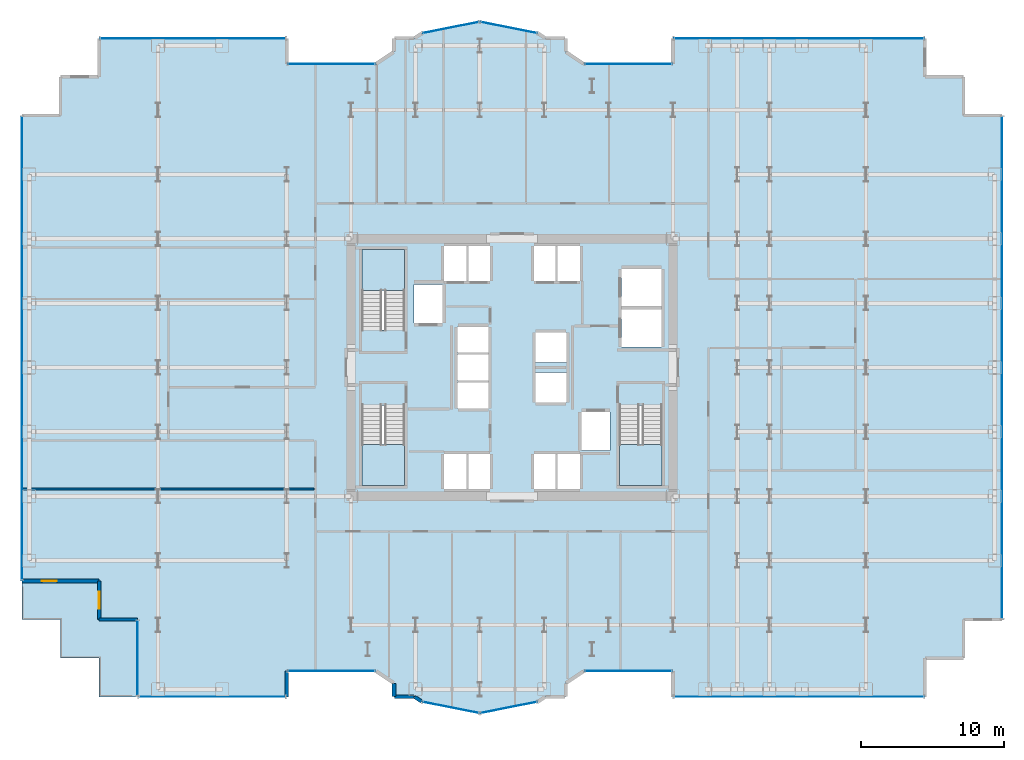
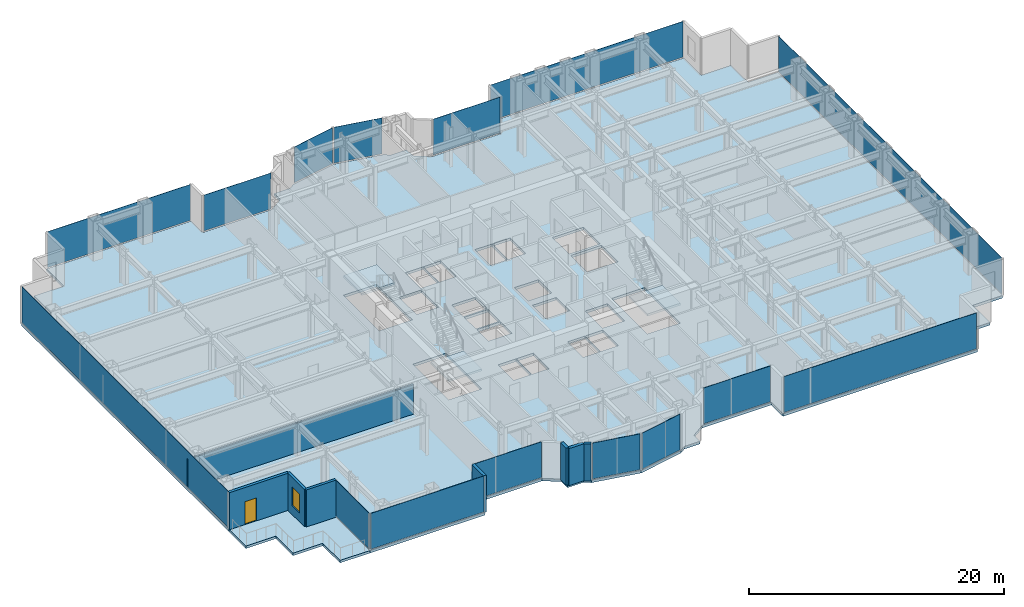
# One storey, part 19 of 27: 15 plates, 8 walls, 5 slabs, 1 door, 1 window, 2 openings, 18 elements without a shape of their own.
"""IFC4 building model written with IfcOpenShell, lengths in metres."""

from ifc_helpers import new_model, si_unit, direction, frame, frame_2d, origin, origin_2d, place, context, subcontext, project, spatial, polyline, rectangle, outline, extrude, source, transform, mapped, material, layer, layer_set, type_object, element, fill, aggregate, save


model = new_model("IFC4")

# Units and contexts
model_context = context("Model", 3, precision=1e-05, world=origin(), true_north=direction((0.0, 1.0)))
body_context = subcontext(model_context, "Body", "Model", "MODEL_VIEW")
ifc_project = project(units=[si_unit("LENGTHUNIT", "METRE"), si_unit("AREAUNIT", "SQUARE_METRE"), si_unit("VOLUMEUNIT", "CUBIC_METRE"), si_unit("PLANEANGLEUNIT", "RADIAN"), si_unit("MASSUNIT", "GRAM", prefix="KILO")], contexts=[model_context])

# Site, building, storey
site_placement = place(None, origin())
site = spatial("IfcSite", under=ifc_project, at=site_placement, CompositionType="ELEMENT")
building_placement = place(site_placement, origin())
building = spatial("IfcBuilding", under=site, at=building_placement, Name="Nefas-Gora Pilgrimage Tower", CompositionType="ELEMENT")
storey_placement = place(building_placement, frame((0.0, 0.0, 48.199951171875)))
storey = spatial("IfcBuildingStorey", under=building, at=storey_placement, Name="L10", CompositionType="ELEMENT", Elevation=48.199951171875)

# Slabs
ifc_material_1 = material(Name="Concrete C40/50", Category="concrete")
ifc_layer_1 = layer(ifc_material_1, 0.239990234375)
ifc_layer_set_1 = layer_set([ifc_layer_1], Name="Concrete C40/50")
slab_type_1 = type_object("IfcSlabType", Name="SLB-TER-SP-SW", PredefinedType="FLOOR", material=ifc_layer_set_1)
slab_1_placement = place(storey_placement, frame((0.0, 0.0, -0.239990234375)))
element("IfcSlab", 1, at=slab_1_placement, inside=storey, type_object=slab_type_1, Name="L10 Outdoor Sky Terrace Slab TER-SP-SW", PredefinedType="FLOOR", context=body_context, shape_type="SweptSolid", body=[
    extrude(outline(polyline([(-26.169921875, -23.02001953125), (-26.169921875, -17.6201171875), (-28.8701171875, -17.6201171875), (-28.8701171875, -14.919921875), (-34.27001953125, -14.919921875), (-34.27001953125, -17.6201171875), (-31.570068359375, -17.6201171875), (-31.570068359375, -20.320068359375), (-28.8701171875, -20.320068359375), (-28.8701171875, -23.02001953125), (-26.169921875, -23.02001953125)])), origin(), (0.0, 0.0, 1.0), 0.239990234375),
])
ifc_layer_2 = layer(ifc_material_1, 0.25)
ifc_layer_set_2 = layer_set([ifc_layer_2], Name="Concrete C40/50")
slab_type_2 = type_object("IfcSlabType", Name="SLB-TWR-250", PredefinedType="FLOOR", material=ifc_layer_set_2)
slab_2_placement = place(storey_placement, frame((0.0, 0.0, -0.25)))
element("IfcSlab", 2, at=slab_2_placement, inside=storey, type_object=slab_type_2, Name="L10 Structural Floor Slab", PredefinedType="FLOOR", context=body_context, shape_type="SweptSolid", body=[
    extrude(outline(polyline([(5.01806640625, -21.219970703125), (11.25, -21.219970703125), (11.25, -23.02001953125), (28.8701171875, -23.02001953125), (28.8701171875, -20.320068359375), (31.570068359375, -20.320068359375), (31.570068359375, -17.6201171875), (34.27001953125, -17.6201171875), (34.27001953125, 17.6201171875), (31.570068359375, 17.6201171875), (31.570068359375, 20.320068359375), (28.8701171875, 20.320068359375), (28.8701171875, 23.02001953125), (11.25, 23.02001953125), (11.25, 21.219970703125), (5.01806640625, 21.219970703125), (3.75, 22.0673828125), (3.75, 23.02001953125), (2.32421875, 23.02001953125), (1.807373046875, 23.365234375), (-2.25, 24.17236328125), (-6.307373046875, 23.365234375), (-6.82421875, 23.02001953125), (-8.25, 23.02001953125), (-8.25, 22.0673828125), (-9.51806640625, 21.219970703125), (-15.75, 21.219970703125), (-15.75, 23.02001953125), (-28.8701171875, 23.02001953125), (-28.8701171875, 20.320068359375), (-31.570068359375, 20.320068359375), (-31.570068359375, 17.6201171875), (-34.27001953125, 17.6201171875), (-34.27001953125, -14.919921875), (-28.8701171875, -14.919921875), (-28.8701171875, -17.6201171875), (-26.169921875, -17.6201171875), (-26.169921875, -23.02001953125), (-15.75, -23.02001953125), (-15.75, -21.219970703125), (-9.51806640625, -21.219970703125), (-8.25, -22.0673828125), (-8.25, -23.02001953125), (-6.82421875, -23.02001953125), (-6.307373046875, -23.365234375), (-2.25, -24.17236328125), (1.807373046875, -23.365234375), (2.32421875, -23.02001953125), (3.75, -23.02001953125), (3.75, -22.0673828125), (5.01806640625, -21.219970703125)]), holes=[polyline([(-10.5, 2.639892578125), (-10.5, 8.25), (-7.5, 8.25), (-7.5, 2.639892578125), (-10.5, 2.639892578125)]), polyline([(10.5, -2.639892578125), (10.5, -8.25), (7.5, -8.25), (7.5, -2.639892578125), (10.5, -2.639892578125)]), polyline([(-7.5, -2.639892578125), (-7.5, -8.25), (-10.5, -8.25), (-10.5, -2.639892578125), (-7.5, -2.639892578125)]), polyline([(-6.85009765625, 5.800048828125), (-4.85009765625, 5.800048828125), (-4.85009765625, 3.10009765625), (-6.85009765625, 3.10009765625), (-6.85009765625, 5.800048828125)]), polyline([(4.85009765625, -3.10009765625), (6.85009765625, -3.10009765625), (6.85009765625, -5.800048828125), (4.85009765625, -5.800048828125), (4.85009765625, -3.10009765625)]), polyline([(7.64990234375, 4.050048828125), (10.449951171875, 4.050048828125), (10.449951171875, 1.449951171875), (7.64990234375, 1.449951171875), (7.64990234375, 4.050048828125)]), polyline([(7.64990234375, 6.89990234375), (10.449951171875, 6.89990234375), (10.449951171875, 4.300048828125), (7.64990234375, 4.300048828125), (7.64990234375, 6.89990234375)]), polyline([(-4.75, 8.5), (-3.14990234375, 8.5), (-3.14990234375, 6.050048828125), (-4.75, 6.050048828125), (-4.75, 8.5)]), polyline([(-3.10009765625, 8.5), (-1.550048828125, 8.5), (-1.550048828125, 6.050048828125), (-3.10009765625, 6.050048828125), (-3.10009765625, 8.5)]), polyline([(1.550048828125, 8.5), (3.10009765625, 8.5), (3.10009765625, 6.050048828125), (1.550048828125, 6.050048828125), (1.550048828125, 8.5)]), polyline([(3.14990234375, 8.5), (4.75, 8.5), (4.75, 6.050048828125), (3.14990234375, 6.050048828125), (3.14990234375, 8.5)]), polyline([(-4.75, -6.050048828125), (-3.14990234375, -6.050048828125), (-3.14990234375, -8.5), (-4.75, -8.5), (-4.75, -6.050048828125)]), polyline([(-3.10009765625, -6.050048828125), (-1.550048828125, -6.050048828125), (-1.550048828125, -8.5), (-3.10009765625, -8.5), (-3.10009765625, -6.050048828125)]), polyline([(1.550048828125, -6.050048828125), (3.10009765625, -6.050048828125), (3.10009765625, -8.5), (1.550048828125, -8.5), (1.550048828125, -6.050048828125)]), polyline([(3.14990234375, -6.050048828125), (4.75, -6.050048828125), (4.75, -8.5), (3.14990234375, -8.5), (3.14990234375, -6.050048828125)]), polyline([(-3.800048828125, -1.050048828125), (-1.64990234375, -1.050048828125), (-1.64990234375, -2.85009765625), (-3.800048828125, -2.85009765625), (-3.800048828125, -1.050048828125)]), polyline([(-3.800048828125, 0.89990234375), (-1.64990234375, 0.89990234375), (-1.64990234375, -0.89990234375), (-3.800048828125, -0.89990234375), (-3.800048828125, 0.89990234375)]), polyline([(-3.800048828125, 2.85009765625), (-1.64990234375, 2.85009765625), (-1.64990234375, 1.050048828125), (-3.800048828125, 1.050048828125), (-3.800048828125, 2.85009765625)]), polyline([(1.64990234375, -0.35009765625), (3.800048828125, -0.35009765625), (3.800048828125, -2.449951171875), (1.64990234375, -2.449951171875), (1.64990234375, -0.35009765625)]), polyline([(1.64990234375, 2.449951171875), (3.800048828125, 2.449951171875), (3.800048828125, 0.35009765625), (1.64990234375, 0.35009765625), (1.64990234375, 2.449951171875)])]), origin(), (0.0, 0.0, 1.0), 0.25),
])

# Stair, slab
ifc_material_2 = material(Name="Concrete C45/55", Category="concrete")
stair_type = type_object("IfcStairType", Name="STR-1400-R1727", PredefinedType="HALF_TURN_STAIR", material=ifc_material_2)
stair_1_placement = place(storey_placement, origin())
stair_1 = element("IfcStair", 3, at=stair_1_placement, inside=storey, type_object=stair_type, Name="L10 Pressurised Tower Exit Stair ST-01", PredefinedType="HALF_TURN_STAIR")
ifc_layer_3 = layer(ifc_material_1, 0.199951171875)
ifc_layer_set_3 = layer_set([ifc_layer_3], Name="Concrete C40/50")
slab_type_3 = type_object("IfcSlabType", Name="STR-LAND-200", PredefinedType="LANDING", material=ifc_layer_set_3)
slab_3_placement = place(storey_placement, frame((0.0, 0.0, 1.699951171875)))
slab_3 = element("IfcSlab", 4, at=slab_3_placement, type_object=slab_type_3, Name="ST-01 landing 1", PredefinedType="LANDING", context=body_context, shape_type="SweptSolid", body=[
    extrude(outline(polyline([(-7.5, 5.39990234375), (-7.5, 8.25), (-10.5, 8.25), (-10.5, 5.39990234375), (-7.5, 5.39990234375)])), origin(), (0.0, 0.0, 1.0), 0.2001953125),
])
aggregate(stair_1, [slab_3])

stair_2_placement = place(storey_placement, origin())
stair_2 = element("IfcStair", 5, at=stair_2_placement, inside=storey, type_object=stair_type, Name="L10 Pressurised Tower Exit Stair ST-02", PredefinedType="HALF_TURN_STAIR")
slab_4_placement = place(storey_placement, frame((0.0, 0.0, 1.699951171875)))
slab_4 = element("IfcSlab", 6, at=slab_4_placement, type_object=slab_type_3, Name="ST-02 landing 1", PredefinedType="LANDING", context=body_context, shape_type="SweptSolid", body=[
    extrude(outline(polyline([(7.5, -5.39990234375), (7.5, -8.25), (10.5, -8.25), (10.5, -5.39990234375), (7.5, -5.39990234375)])), origin(), (0.0, 0.0, 1.0), 0.2001953125),
])
aggregate(stair_2, [slab_4])

stair_3_placement = place(storey_placement, origin())
stair_3 = element("IfcStair", 7, at=stair_3_placement, inside=storey, type_object=stair_type, Name="L10 Pressurised Tower Exit Stair ST-03", PredefinedType="HALF_TURN_STAIR")
slab_5_placement = place(storey_placement, frame((0.0, 0.0, 1.699951171875)))
slab_5 = element("IfcSlab", 8, at=slab_5_placement, type_object=slab_type_3, Name="ST-03 landing 1", PredefinedType="LANDING", context=body_context, shape_type="SweptSolid", body=[
    extrude(outline(polyline([(-10.5, -5.39990234375), (-10.5, -8.25), (-7.5, -8.25), (-7.5, -5.39990234375), (-10.5, -5.39990234375)])), origin(), (0.0, 0.0, 1.0), 0.2001953125),
])
aggregate(stair_3, [slab_5])

# Curtain wall, plate
ifc_material_3 = material(Name="Dark ceramic-fritted solar-control aluminium-glass curtain wall", Category="aluminium")
ifc_layer_4 = layer(ifc_material_3, 0.219970703125)
ifc_layer_set_4 = layer_set([ifc_layer_4], Name="Dark ceramic-fritted solar-control aluminium-glass curtain wall")
curtain_wall_type_1 = type_object("IfcCurtainWallType", Name="CW-SYS-5", PredefinedType="NOTDEFINED", material=ifc_layer_set_4)
curtain_wall_1_placement = place(storey_placement, origin())
curtain_wall_1 = element("IfcCurtainWall", 9, at=curtain_wall_1_placement, inside=storey, type_object=curtain_wall_type_1, Name="L10 Unitised Curtain Wall CW5", PredefinedType="NOTDEFINED")
ifc_material_4 = material(Name="Dark ceramic-printed low-e insulated glass", Category="glass")
ifc_layer_5 = layer(ifc_material_4, 0.028076171875)
ifc_layer_set_5 = layer_set([ifc_layer_5], Name="Dark ceramic-printed low-e insulated glass")
plate_type_1 = type_object("IfcPlateType", Name="CWP-PNL-5", PredefinedType="CURTAIN_PANEL", material=ifc_layer_set_5)
shared_shape_1 = source(origin(), body_context, "Body", "SweptSolid", [
    extrude(rectangle(XDim=6.052001953125, YDim=0.028076171875, at=origin_2d()), origin(), (0.0, 0.0, 1.0), 3.43994140625),
])
plate_1_placement = place(storey_placement, frame((8.134033203125, -21.219970703125, 0.10009765625), z_axis=(0.0, 0.0, 1.0), x_axis=(1.0, 0.0, 0.0)))
plate_1 = element("IfcPlate", 10, at=plate_1_placement, type_object=plate_type_1, Name="CW5 Ceramic-Fritted Glazing Panel 1", PredefinedType="CURTAIN_PANEL", context=body_context, shape_type="MappedRepresentation", body=[
    mapped(shared_shape_1, transform((0.0, 0.0, 0.0), x_axis=(1.0, 0.0, 0.0), y_axis=(0.0, 1.0, 0.0), z_axis=(0.0, 0.0, 1.0), scale=1.0)),
])
aggregate(curtain_wall_1, [plate_1])

curtain_wall_2_placement = place(storey_placement, origin())
curtain_wall_2 = element("IfcCurtainWall", 11, at=curtain_wall_2_placement, inside=storey, type_object=curtain_wall_type_1, Name="L10 Unitised Curtain Wall CW5", PredefinedType="NOTDEFINED")
plate_2_placement = place(storey_placement, frame((8.134033203125, 21.219970703125, 0.10009765625), z_axis=(0.0, 0.0, 1.0), x_axis=(-1.0, 0.0, 0.0)))
plate_2 = element("IfcPlate", 12, at=plate_2_placement, type_object=plate_type_1, Name="CW5 Ceramic-Fritted Glazing Panel 1", PredefinedType="CURTAIN_PANEL", context=body_context, shape_type="MappedRepresentation", body=[
    mapped(shared_shape_1, transform((0.0, 0.0, 0.0), x_axis=(1.0, 0.0, 0.0), y_axis=(0.0, 1.0, 0.0), z_axis=(0.0, 0.0, 1.0), scale=1.0)),
])
aggregate(curtain_wall_2, [plate_2])

curtain_wall_3_placement = place(storey_placement, origin())
curtain_wall_3 = element("IfcCurtainWall", 13, at=curtain_wall_3_placement, inside=storey, type_object=curtain_wall_type_1, Name="L10 Unitised Curtain Wall CW5", PredefinedType="NOTDEFINED")
plate_3_placement = place(storey_placement, frame((-12.634033203125, 21.219970703125, 0.10009765625), z_axis=(0.0, 0.0, 1.0), x_axis=(-1.0, 0.0, 0.0)))
plate_3 = element("IfcPlate", 14, at=plate_3_placement, type_object=plate_type_1, Name="CW5 Ceramic-Fritted Glazing Panel 1", PredefinedType="CURTAIN_PANEL", context=body_context, shape_type="MappedRepresentation", body=[
    mapped(shared_shape_1, transform((0.0, 0.0, 0.0), x_axis=(1.0, 0.0, 0.0), y_axis=(0.0, 1.0, 0.0), z_axis=(0.0, 0.0, 1.0), scale=1.0)),
])
aggregate(curtain_wall_3, [plate_3])

curtain_wall_4_placement = place(storey_placement, origin())
curtain_wall_4 = element("IfcCurtainWall", 15, at=curtain_wall_4_placement, inside=storey, type_object=curtain_wall_type_1, Name="L10 Unitised Curtain Wall CW5", PredefinedType="NOTDEFINED")
plate_4_placement = place(storey_placement, frame((-12.634033203125, -21.219970703125, 0.10009765625), z_axis=(0.0, 0.0, 1.0), x_axis=(1.0, 0.0, 0.0)))
plate_4 = element("IfcPlate", 16, at=plate_4_placement, type_object=plate_type_1, Name="CW5 Ceramic-Fritted Glazing Panel 1", PredefinedType="CURTAIN_PANEL", context=body_context, shape_type="MappedRepresentation", body=[
    mapped(shared_shape_1, transform((0.0, 0.0, 0.0), x_axis=(1.0, 0.0, 0.0), y_axis=(0.0, 1.0, 0.0), z_axis=(0.0, 0.0, 1.0), scale=1.0)),
])
aggregate(curtain_wall_4, [plate_4])

ifc_layer_6 = layer(ifc_material_3, 0.219970703125)
ifc_layer_set_6 = layer_set([ifc_layer_6], Name="Dark ceramic-fritted solar-control aluminium-glass curtain wall")
curtain_wall_type_2 = type_object("IfcCurtainWallType", Name="CW-SYS-2", PredefinedType="NOTDEFINED", material=ifc_layer_set_6)
curtain_wall_5_placement = place(storey_placement, origin())
curtain_wall_5 = element("IfcCurtainWall", 17, at=curtain_wall_5_placement, inside=storey, type_object=curtain_wall_type_2, Name="L10 Unitised Curtain Wall CW2", PredefinedType="NOTDEFINED")
ifc_layer_7 = layer(ifc_material_4, 0.031982421875)
ifc_layer_set_7 = layer_set([ifc_layer_7], Name="Dark ceramic-printed low-e insulated glass")
plate_type_2 = type_object("IfcPlateType", Name="CWP-PNL-2", PredefinedType="CURTAIN_PANEL", material=ifc_layer_set_7)
shared_shape_2 = source(origin(), body_context, "Body", "SweptSolid", [
    extrude(rectangle(XDim=17.43994140625, YDim=0.031982421875, at=origin_2d()), origin(), (0.0, 0.0, 1.0), 3.43994140625),
])
plate_5_placement = place(storey_placement, frame((20.06005859375, -23.02001953125, 0.10009765625), z_axis=(0.0, 0.0, 1.0), x_axis=(1.0, 0.0, 0.0)))
plate_5 = element("IfcPlate", 18, at=plate_5_placement, type_object=plate_type_2, Name="CW2 Ceramic-Fritted Glazing Panel 1", PredefinedType="CURTAIN_PANEL", context=body_context, shape_type="MappedRepresentation", body=[
    mapped(shared_shape_2, transform((0.0, 0.0, 0.0), x_axis=(1.0, 0.0, 0.0), y_axis=(0.0, 1.0, 0.0), z_axis=(0.0, 0.0, 1.0), scale=1.0)),
])
aggregate(curtain_wall_5, [plate_5])

curtain_wall_6_placement = place(storey_placement, origin())
curtain_wall_6 = element("IfcCurtainWall", 19, at=curtain_wall_6_placement, inside=storey, type_object=curtain_wall_type_2, Name="L10 Unitised Curtain Wall CW2", PredefinedType="NOTDEFINED")
plate_6_placement = place(storey_placement, frame((20.06005859375, 23.02001953125, 0.10009765625), z_axis=(0.0, 0.0, 1.0), x_axis=(-1.0, 0.0, 0.0)))
plate_6 = element("IfcPlate", 20, at=plate_6_placement, type_object=plate_type_2, Name="CW2 Ceramic-Fritted Glazing Panel 1", PredefinedType="CURTAIN_PANEL", context=body_context, shape_type="MappedRepresentation", body=[
    mapped(shared_shape_2, transform((0.0, 0.0, 0.0), x_axis=(1.0, 0.0, 0.0), y_axis=(0.0, 1.0, 0.0), z_axis=(0.0, 0.0, 1.0), scale=1.0)),
])
aggregate(curtain_wall_6, [plate_6])

curtain_wall_7_placement = place(storey_placement, origin())
curtain_wall_7 = element("IfcCurtainWall", 21, at=curtain_wall_7_placement, inside=storey, type_object=curtain_wall_type_1, Name="L10 Unitised Curtain Wall CW5", PredefinedType="NOTDEFINED")
shared_shape_3 = source(origin(), body_context, "Body", "SweptSolid", [
    extrude(rectangle(XDim=3.956787109375, YDim=0.028076171875, at=origin_2d()), origin(), (0.0, 0.0, 1.0), 3.43994140625),
])
plate_7_placement = place(storey_placement, frame((-0.22119140625, 23.768798828125, 0.10009765625), z_axis=(0.0, 0.0, 1.0), x_axis=(-0.980782896852, 0.195102304554, 0.0)))
plate_7 = element("IfcPlate", 22, at=plate_7_placement, type_object=plate_type_1, Name="CW5 Ceramic-Fritted Glazing Panel 1", PredefinedType="CURTAIN_PANEL", context=body_context, shape_type="MappedRepresentation", body=[
    mapped(shared_shape_3, transform((0.0, 0.0, 0.0), x_axis=(1.0, 0.0, 0.0), y_axis=(0.0, 1.0, 0.0), z_axis=(0.0, 0.0, 1.0), scale=1.0)),
])
aggregate(curtain_wall_7, [plate_7])

curtain_wall_8_placement = place(storey_placement, origin())
curtain_wall_8 = element("IfcCurtainWall", 23, at=curtain_wall_8_placement, inside=storey, type_object=curtain_wall_type_1, Name="L10 Unitised Curtain Wall CW5", PredefinedType="NOTDEFINED")
plate_8_placement = place(storey_placement, frame((-4.278564453125, 23.768798828125, 0.10009765625), z_axis=(0.0, 0.0, 1.0), x_axis=(-0.980782896852, -0.195102304554, 0.0)))
plate_8 = element("IfcPlate", 24, at=plate_8_placement, type_object=plate_type_1, Name="CW5 Ceramic-Fritted Glazing Panel 1", PredefinedType="CURTAIN_PANEL", context=body_context, shape_type="MappedRepresentation", body=[
    mapped(shared_shape_3, transform((0.0, 0.0, 0.0), x_axis=(1.0, 0.0, 0.0), y_axis=(0.0, 1.0, 0.0), z_axis=(0.0, 0.0, 1.0), scale=1.0)),
])
aggregate(curtain_wall_8, [plate_8])

curtain_wall_9_placement = place(storey_placement, origin())
curtain_wall_9 = element("IfcCurtainWall", 25, at=curtain_wall_9_placement, inside=storey, type_object=curtain_wall_type_1, Name="L10 Unitised Curtain Wall CW5", PredefinedType="NOTDEFINED")
plate_9_placement = place(storey_placement, frame((-4.278564453125, -23.768798828125, 0.10009765625), z_axis=(0.0, 0.0, 1.0), x_axis=(0.980782896852, -0.195102304554, 0.0)))
plate_9 = element("IfcPlate", 26, at=plate_9_placement, type_object=plate_type_1, Name="CW5 Ceramic-Fritted Glazing Panel 1", PredefinedType="CURTAIN_PANEL", context=body_context, shape_type="MappedRepresentation", body=[
    mapped(shared_shape_3, transform((0.0, 0.0, 0.0), x_axis=(1.0, 0.0, 0.0), y_axis=(0.0, 1.0, 0.0), z_axis=(0.0, 0.0, 1.0), scale=1.0)),
])
aggregate(curtain_wall_9, [plate_9])

curtain_wall_10_placement = place(storey_placement, origin())
curtain_wall_10 = element("IfcCurtainWall", 27, at=curtain_wall_10_placement, inside=storey, type_object=curtain_wall_type_1, Name="L10 Unitised Curtain Wall CW5", PredefinedType="NOTDEFINED")
plate_10_placement = place(storey_placement, frame((-0.221435546875, -23.768798828125, 0.10009765625), z_axis=(0.0, 0.0, 1.0), x_axis=(0.980782896852, 0.195102304554, 0.0)))
plate_10 = element("IfcPlate", 28, at=plate_10_placement, type_object=plate_type_1, Name="CW5 Ceramic-Fritted Glazing Panel 1", PredefinedType="CURTAIN_PANEL", context=body_context, shape_type="MappedRepresentation", body=[
    mapped(shared_shape_3, transform((0.0, 0.0, 0.0), x_axis=(1.0, 0.0, 0.0), y_axis=(0.0, 1.0, 0.0), z_axis=(0.0, 0.0, 1.0), scale=1.0)),
])
aggregate(curtain_wall_10, [plate_10])

curtain_wall_11_placement = place(storey_placement, origin())
curtain_wall_11 = element("IfcCurtainWall", 29, at=curtain_wall_11_placement, inside=storey, type_object=curtain_wall_type_2, Name="L10 Unitised Curtain Wall CW2", PredefinedType="NOTDEFINED")
shared_shape_4 = source(origin(), body_context, "Body", "SweptSolid", [
    extrude(rectangle(XDim=12.93994140625, YDim=0.031982421875, at=origin_2d()), origin(), (0.0, 0.0, 1.0), 3.43994140625),
])
plate_11_placement = place(storey_placement, frame((-22.31005859375, 23.02001953125, 0.10009765625), z_axis=(0.0, 0.0, 1.0), x_axis=(-1.0, 0.0, 0.0)))
plate_11 = element("IfcPlate", 30, at=plate_11_placement, type_object=plate_type_2, Name="CW2 Ceramic-Fritted Glazing Panel 1", PredefinedType="CURTAIN_PANEL", context=body_context, shape_type="MappedRepresentation", body=[
    mapped(shared_shape_4, transform((0.0, 0.0, 0.0), x_axis=(1.0, 0.0, 0.0), y_axis=(0.0, 1.0, 0.0), z_axis=(0.0, 0.0, 1.0), scale=1.0)),
])
aggregate(curtain_wall_11, [plate_11])

curtain_wall_12_placement = place(storey_placement, origin())
curtain_wall_12 = element("IfcCurtainWall", 31, at=curtain_wall_12_placement, inside=storey, type_object=curtain_wall_type_2, Name="L10 Unitised Curtain Wall CW2", PredefinedType="NOTDEFINED")
shared_shape_5 = source(origin(), body_context, "Body", "SweptSolid", [
    extrude(rectangle(XDim=35.06005859375, YDim=0.031982421875, at=origin_2d()), origin(), (0.0, 0.0, 1.0), 3.43994140625),
])
plate_12_placement = place(storey_placement, frame((34.27001953125, 0.0, 0.10009765625), z_axis=(0.0, 0.0, 1.0), x_axis=(0.0, 1.0, 0.0)))
plate_12 = element("IfcPlate", 32, at=plate_12_placement, type_object=plate_type_2, Name="CW2 Ceramic-Fritted Glazing Panel 1", PredefinedType="CURTAIN_PANEL", context=body_context, shape_type="MappedRepresentation", body=[
    mapped(shared_shape_5, transform((0.0, 0.0, 0.0), x_axis=(1.0, 0.0, 0.0), y_axis=(0.0, 1.0, 0.0), z_axis=(0.0, 0.0, 1.0), scale=1.0)),
])
aggregate(curtain_wall_12, [plate_12])

curtain_wall_13_placement = place(storey_placement, origin())
curtain_wall_13 = element("IfcCurtainWall", 33, at=curtain_wall_13_placement, inside=storey, type_object=curtain_wall_type_2, Name="L10 Unitised Curtain Wall CW2", PredefinedType="NOTDEFINED")
shared_shape_6 = source(origin(), body_context, "Body", "SweptSolid", [
    extrude(rectangle(XDim=32.360107421875, YDim=0.031982421875, at=origin_2d()), origin(), (0.0, 0.0, 1.0), 3.43994140625),
])
plate_13_placement = place(storey_placement, frame((-34.27001953125, 1.35009765625, 0.10009765625), z_axis=(0.0, 0.0, 1.0), x_axis=(0.0, -1.0, 0.0)))
plate_13 = element("IfcPlate", 34, at=plate_13_placement, type_object=plate_type_2, Name="CW2 Ceramic-Fritted Glazing Panel 1", PredefinedType="CURTAIN_PANEL", context=body_context, shape_type="MappedRepresentation", body=[
    mapped(shared_shape_6, transform((0.0, 0.0, 0.0), x_axis=(1.0, 0.0, 0.0), y_axis=(0.0, 1.0, 0.0), z_axis=(0.0, 0.0, 1.0), scale=1.0)),
])
aggregate(curtain_wall_13, [plate_13])

curtain_wall_14_placement = place(storey_placement, origin())
curtain_wall_14 = element("IfcCurtainWall", 35, at=curtain_wall_14_placement, inside=storey, type_object=curtain_wall_type_2, Name="L10 Unitised Curtain Wall CW2", PredefinedType="NOTDEFINED")
shared_shape_7 = source(origin(), body_context, "Body", "SweptSolid", [
    extrude(rectangle(XDim=5.219970703125, YDim=0.031982421875, at=origin_2d()), origin(), (0.0, 0.0, 1.0), 3.43994140625),
])
plate_14_placement = place(storey_placement, frame((-26.169921875, -20.320068359375, 0.10009765625), z_axis=(0.0, 0.0, 1.0), x_axis=(0.0, -1.0, 0.0)))
plate_14 = element("IfcPlate", 36, at=plate_14_placement, type_object=plate_type_2, Name="CW2 Ceramic-Fritted Glazing Panel 1", PredefinedType="CURTAIN_PANEL", context=body_context, shape_type="MappedRepresentation", body=[
    mapped(shared_shape_7, transform((0.0, 0.0, 0.0), x_axis=(1.0, 0.0, 0.0), y_axis=(0.0, 1.0, 0.0), z_axis=(0.0, 0.0, 1.0), scale=1.0)),
])
aggregate(curtain_wall_14, [plate_14])

curtain_wall_15_placement = place(storey_placement, origin())
curtain_wall_15 = element("IfcCurtainWall", 37, at=curtain_wall_15_placement, inside=storey, type_object=curtain_wall_type_2, Name="L10 Unitised Curtain Wall CW2", PredefinedType="NOTDEFINED")
shared_shape_8 = source(origin(), body_context, "Body", "SweptSolid", [
    extrude(rectangle(XDim=10.239990234375, YDim=0.031982421875, at=origin_2d()), origin(), (0.0, 0.0, 1.0), 3.43994140625),
])
plate_15_placement = place(storey_placement, frame((-20.9599609375, -23.02001953125, 0.10009765625), z_axis=(0.0, 0.0, 1.0), x_axis=(1.0, 0.0, 0.0)))
plate_15 = element("IfcPlate", 38, at=plate_15_placement, type_object=plate_type_2, Name="CW2 Ceramic-Fritted Glazing Panel 1", PredefinedType="CURTAIN_PANEL", context=body_context, shape_type="MappedRepresentation", body=[
    mapped(shared_shape_8, transform((0.0, 0.0, 0.0), x_axis=(1.0, 0.0, 0.0), y_axis=(0.0, 1.0, 0.0), z_axis=(0.0, 0.0, 1.0), scale=1.0)),
])
aggregate(curtain_wall_15, [plate_15])

# Walls
ifc_material_5 = material(Name="Precast concrete C40/50", Category="concrete")
ifc_layer_8 = layer(ifc_material_5, 0.260009765625)
ifc_layer_set_8 = layer_set([ifc_layer_8], Name="Precast concrete C40/50")
wall_type_1 = type_object("IfcWallType", Name="EW-PORTAL-260", PredefinedType="SOLIDWALL", material=ifc_layer_set_8)
shared_shape_9 = source(origin(), body_context, "Body", "SweptSolid", [
    extrude(rectangle(XDim=1.800048828125, YDim=0.260009765625, at=frame_2d((0.89990234375, 0.0))), origin(), (0.0, 0.0, 1.0), 3.550048828125),
])
wall_1_placement = place(storey_placement, frame((-15.75, -23.02001953125, 0.0), z_axis=(0.0, 0.0, 1.0), x_axis=(0.0, 1.0, 0.0)))
element("IfcWall", 39, at=wall_1_placement, inside=storey, type_object=wall_type_1, Name="L10 Lobe Shoulder Precast Spandrel Pier 27", PredefinedType="SOLIDWALL", context=body_context, shape_type="MappedRepresentation", body=[
    mapped(shared_shape_9, transform((0.0, 0.0, 0.0), x_axis=(1.0, 0.0, 0.0), y_axis=(0.0, 1.0, 0.0), z_axis=(0.0, 0.0, 1.0), scale=1.0)),
])
shared_shape_10 = source(origin(), body_context, "Body", "SweptSolid", [
    extrude(rectangle(XDim=0.896728515625, YDim=0.260009765625, at=frame_2d((0.4482421875, 0.0))), origin(), (0.0, 0.0, 1.0), 3.550048828125),
])
wall_2_placement = place(storey_placement, frame((-8.25, -22.09521484375, 0.0), z_axis=(0.0, 0.0, 1.0), x_axis=(0.0, -1.0, 0.0)))
element("IfcWall", 40, at=wall_2_placement, inside=storey, type_object=wall_type_1, Name="L10 Lobe Shoulder Precast Spandrel Pier 29", PredefinedType="SOLIDWALL", context=body_context, shape_type="MappedRepresentation", body=[
    mapped(shared_shape_10, transform((0.0, 0.0, 0.0), x_axis=(1.0, 0.0, 0.0), y_axis=(0.0, 1.0, 0.0), z_axis=(0.0, 0.0, 1.0), scale=1.0)),
])
shared_shape_11 = source(origin(), body_context, "Body", "SweptSolid", [
    extrude(rectangle(XDim=1.369873046875, YDim=0.260009765625, at=frame_2d((0.68505859375, 0.0))), origin(), (0.0, 0.0, 1.0), 3.550048828125),
])
wall_3_placement = place(storey_placement, frame((-8.221923828125, -23.02001953125, 0.0), z_axis=(0.0, 0.0, 1.0), x_axis=(1.0, 0.0, 0.0)))
element("IfcWall", 41, at=wall_3_placement, inside=storey, type_object=wall_type_1, Name="L10 Lobe Shoulder Precast Spandrel Pier 30", PredefinedType="SOLIDWALL", context=body_context, shape_type="MappedRepresentation", body=[
    mapped(shared_shape_11, transform((0.0, 0.0, 0.0), x_axis=(1.0, 0.0, 0.0), y_axis=(0.0, 1.0, 0.0), z_axis=(0.0, 0.0, 1.0), scale=1.0)),
])
shared_shape_12 = source(origin(), body_context, "Body", "SweptSolid", [
    extrude(rectangle(XDim=0.5654296875, YDim=0.260009765625, at=frame_2d((0.28271484375, 0.0))), origin(), (0.0, 0.0, 1.0), 3.550048828125),
])
wall_4_placement = place(storey_placement, frame((-6.80078125, -23.03564453125, 0.0), z_axis=(0.0, 0.0, 1.0), x_axis=(0.831651492666, -0.555297933317, 0.0)))
element("IfcWall", 42, at=wall_4_placement, inside=storey, type_object=wall_type_1, Name="L10 Lobe Shoulder Precast Spandrel Pier 31", PredefinedType="SOLIDWALL", context=body_context, shape_type="MappedRepresentation", body=[
    mapped(shared_shape_12, transform((0.0, 0.0, 0.0), x_axis=(1.0, 0.0, 0.0), y_axis=(0.0, 1.0, 0.0), z_axis=(0.0, 0.0, 1.0), scale=1.0)),
])

# Wall, opening, door
shared_shape_13 = source(origin(), body_context, "Body", "SweptSolid", [
    extrude(rectangle(XDim=5.39990234375, YDim=0.260009765625, at=frame_2d((2.699951171875, 0.0))), origin(), (0.0, 0.0, 1.0), 3.550048828125),
])
wall_5_placement = place(storey_placement, frame((-34.27001953125, -14.919921875, 0.0), z_axis=(0.0, 0.0, 1.0), x_axis=(1.0, 0.0, 0.0)))
wall_5 = element("IfcWall", 43, at=wall_5_placement, inside=storey, type_object=wall_type_1, Name="L10 Insulated Terrace Portal Wall 24", PredefinedType="SOLIDWALL", context=body_context, shape_type="MappedRepresentation", body=[
    mapped(shared_shape_13, transform((0.0, 0.0, 0.0), x_axis=(1.0, 0.0, 0.0), y_axis=(0.0, 1.0, 0.0), z_axis=(0.0, 0.0, 1.0), scale=1.0)),
])
opening_1_placement = place(wall_5_placement, frame((1.39697265625, 0.0, 0.0)))
opening_1 = element("IfcOpeningElement", 44, at=opening_1_placement, cuts=wall_5, Name="Opening ED-T1", PredefinedType="OPENING", context=body_context, shape_type="SweptSolid", body=[
    extrude(rectangle(XDim=1.050048828125, YDim=2.199951171875, at=frame_2d((0.52490234375, 1.10009765625))), frame((0.0, 0.139892578125, 0.0), z_axis=(0.0, -1.0, 0.0), x_axis=(1.0, 0.0, 0.0)), (0.0, 0.0, 1.0), 0.280029296875),
])
ifc_material_6 = material(Name="Thermally broken glazed aluminium terrace door", Category="aluminium")
door_type = type_object("IfcDoorType", Name="DR-EXT-TER-1050", OperationType="NOTDEFINED", PredefinedType="DOOR", material=ifc_material_6)
shared_shape_14 = source(origin(), body_context, "Body", "SweptSolid", [
    extrude(rectangle(XDim=1.050048828125, YDim=2.199951171875, at=frame_2d((0.52490234375, 1.10009765625))), frame((0.0, 0.02490234375, 0.0), z_axis=(0.0, -1.0, 0.0), x_axis=(1.0, 0.0, 0.0)), (0.0, 0.0, 1.0), 0.050048828125),
])
door_placement = place(opening_1_placement, origin())
door = element("IfcDoor", 45, at=door_placement, inside=storey, type_object=door_type, Name="L10 Exterior Door (L10 Outdoor Terrace TER-SP-SW)", OperationType="SINGLE_SWING_LEFT", OverallHeight=2.199951171875, OverallWidth=1.050048828125, PredefinedType="DOOR", context=body_context, shape_type="MappedRepresentation", body=[
    mapped(shared_shape_14, transform((0.0, 0.0, 0.0), x_axis=(1.0, 0.0, 0.0), y_axis=(0.0, 1.0, 0.0), z_axis=(0.0, 0.0, 1.0), scale=1.0)),
])
fill(opening_1, door)

# Wall, opening, window
ifc_material_7 = material(Name="Precast concrete C45/55", Category="concrete")
ifc_layer_9 = layer(ifc_material_7, 0.239990234375)
ifc_layer_set_9 = layer_set([ifc_layer_9], Name="Precast concrete C45/55")
wall_type_2 = type_object("IfcWallType", Name="EW-SERR-240", PredefinedType="SHEAR", material=ifc_layer_set_9)
shared_shape_15 = source(origin(), body_context, "Body", "SweptSolid", [
    extrude(rectangle(XDim=2.7001953125, YDim=0.239990234375, at=frame_2d((1.35009765625, 0.0))), origin(), (0.0, 0.0, 1.0), 3.550048828125),
])
wall_6_placement = place(storey_placement, frame((-28.8701171875, -14.919921875, 0.0), z_axis=(0.0, 0.0, 1.0), x_axis=(0.0, -1.0, 0.0)))
wall_6 = element("IfcWall", 46, at=wall_6_placement, inside=storey, type_object=wall_type_2, Name="L10 Serrated Corner Shear Pier Wall 25", PredefinedType="SHEAR", context=body_context, shape_type="MappedRepresentation", body=[
    mapped(shared_shape_15, transform((0.0, 0.0, 0.0), x_axis=(1.0, 0.0, 0.0), y_axis=(0.0, 1.0, 0.0), z_axis=(0.0, 0.0, 1.0), scale=1.0)),
])
opening_2_placement = place(wall_6_placement, frame((0.75, 0.0, 0.85009765625)))
opening_2 = element("IfcOpeningElement", 47, at=opening_2_placement, cuts=wall_6, Name="Opening W-V1", PredefinedType="OPENING", context=body_context, shape_type="SweptSolid", body=[
    extrude(rectangle(XDim=1.199951171875, YDim=1.800048828125, at=frame_2d((0.60009765625, 0.89990234375))), frame((0.0, 0.1298828125, 0.0), z_axis=(0.0, -1.0, 0.0), x_axis=(1.0, 0.0, 0.0)), (0.0, 0.0, 1.0), 0.260009765625),
])
ifc_material_8 = material(Name="Dark ceramic-fritted operable aluminium-glass window", Category="aluminium")
window_type = type_object("IfcWindowType", Name="WIN-VENT-1200x1800", PartitioningType="SINGLE_PANEL", PredefinedType="WINDOW", material=ifc_material_8)
shared_shape_16 = source(origin(), body_context, "Body", "SweptSolid", [
    extrude(rectangle(XDim=1.199951171875, YDim=1.800048828125, at=frame_2d((0.60009765625, 0.89990234375))), frame((0.0, 0.030029296875, 0.0), z_axis=(0.0, -1.0, 0.0), x_axis=(1.0, 0.0, 0.0)), (0.0, 0.0, 1.0), 0.06005859375),
])
window_placement = place(opening_2_placement, origin())
window = element("IfcWindow", 48, at=window_placement, inside=storey, type_object=window_type, Name="L10 Operable Parallel-Outswing Window 25", OverallHeight=1.800048828125, OverallWidth=1.199951171875, PartitioningType="SINGLE_PANEL", PredefinedType="WINDOW", context=body_context, shape_type="MappedRepresentation", body=[
    mapped(shared_shape_16, transform((0.0, 0.0, 0.0), x_axis=(1.0, 0.0, 0.0), y_axis=(0.0, 1.0, 0.0), z_axis=(0.0, 0.0, 1.0), scale=1.0)),
])
fill(opening_2, window)

# Walls
wall_7_placement = place(storey_placement, frame((-28.8701171875, -17.6201171875, 0.0), z_axis=(0.0, 0.0, 1.0), x_axis=(1.0, 0.0, 0.0)))
element("IfcWall", 49, at=wall_7_placement, inside=storey, type_object=wall_type_2, Name="L10 Serrated Corner Shear Pier Wall 26", PredefinedType="SHEAR", context=body_context, shape_type="MappedRepresentation", body=[
    mapped(shared_shape_15, transform((0.0, 0.0, 0.0), x_axis=(1.0, 0.0, 0.0), y_axis=(0.0, 1.0, 0.0), z_axis=(0.0, 0.0, 1.0), scale=1.0)),
])
ifc_material_9 = material(Name="Gypsum twin-stud partition")
ifc_layer_10 = layer(ifc_material_9, 0.139892578125)
ifc_layer_set_10 = layer_set([ifc_layer_10], Name="Gypsum twin-stud partition")
wall_type_3 = type_object("IfcWallType", Name="IW-UNIT-140", PredefinedType="PARTITIONING", material=ifc_layer_set_10)
shared_shape_17 = source(origin(), body_context, "Body", "SweptSolid", [
    extrude(rectangle(XDim=20.429931640625, YDim=0.139892578125, at=frame_2d((10.21484375, 0.0))), origin(), (0.0, 0.0, 1.0), 2.824951171875),
])
wall_8_placement = place(storey_placement, frame((-34.2900390625, -8.5048828125, 0.0), z_axis=(0.0, 0.0, 1.0), x_axis=(1.0, 0.0, 0.0)))
element("IfcWall", 50, at=wall_8_placement, inside=storey, type_object=wall_type_3, Name="L10 Pilgrim Tea and Beverage Pantry Partition Wall 24", PredefinedType="PARTITIONING", context=body_context, shape_type="MappedRepresentation", body=[
    mapped(shared_shape_17, transform((0.0, 0.0, 0.0), x_axis=(1.0, 0.0, 0.0), y_axis=(0.0, 1.0, 0.0), z_axis=(0.0, 0.0, 1.0), scale=1.0)),
])

save(model, "model.ifc")
